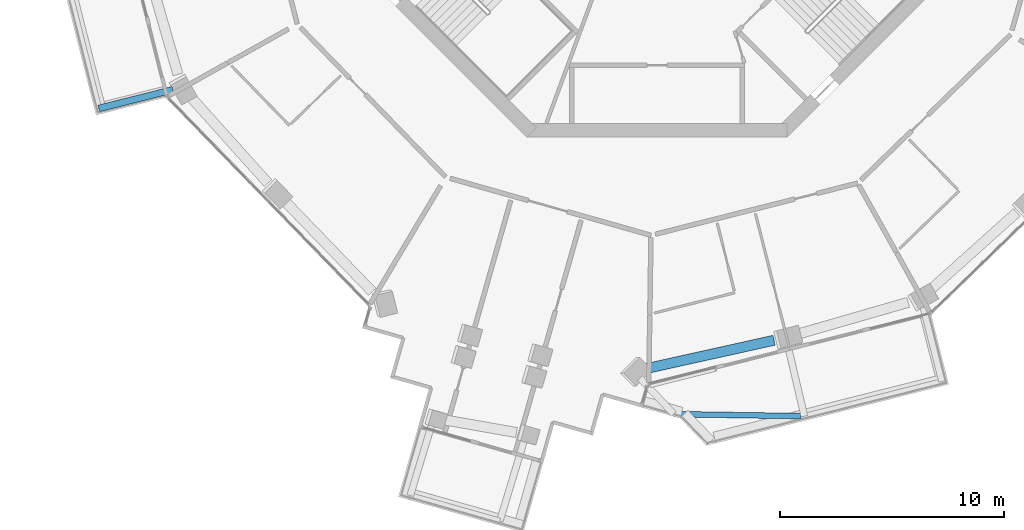
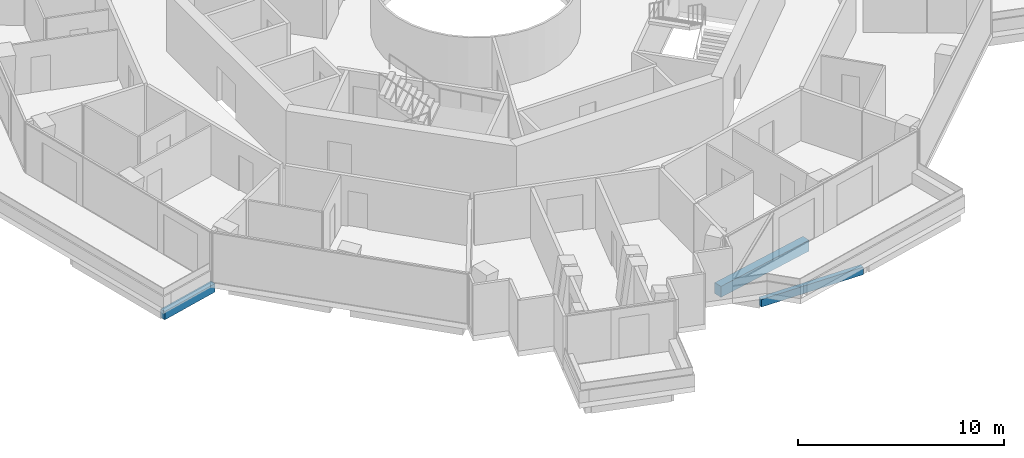
# One storey, part 3 of 24: 3 beams.
"""IFC4 building model written with IfcOpenShell, lengths in metres."""

from ifc_helpers import new_model, si_unit, direction, frame, origin, origin_2d, place, context, subcontext, project, spatial, rectangle, extrude, material, material_profile, profile_set, type_object, element, save


model = new_model("IFC4")

# Units and contexts
model_context = context("Model", 3, precision=1e-05, world=origin(), true_north=direction((0.0, 1.0)))
body_context = subcontext(model_context, "Body", "Model", "MODEL_VIEW")
ifc_project = project(units=[si_unit("LENGTHUNIT", "METRE"), si_unit("AREAUNIT", "SQUARE_METRE"), si_unit("VOLUMEUNIT", "CUBIC_METRE"), si_unit("PLANEANGLEUNIT", "RADIAN"), si_unit("MASSUNIT", "GRAM", prefix="KILO")], contexts=[model_context])

# Site, building, storey
site_placement = place(None, origin())
site = spatial("IfcSite", under=ifc_project, at=site_placement, CompositionType="ELEMENT")
building_placement = place(site_placement, origin())
building = spatial("IfcBuilding", under=site, at=building_placement, Name="Verdalira Terraces Hotel", CompositionType="ELEMENT")
storey_placement = place(building_placement, frame((0.0, 0.0, 212.5)))
storey = spatial("IfcBuildingStorey", under=building, at=storey_placement, Name="L52", CompositionType="ELEMENT", Elevation=212.5)

# Beams
ifc_material_1 = material(Name="Concrete C40", Category="concrete")
ifc_material_profile_1 = material_profile(ifc_material_1, rectangle(XDim=0.300049, YDim=0.5, at=origin_2d()), Name="RC 300X500")
ifc_profile_set_1 = profile_set([ifc_material_profile_1], Name="Concrete C40")
beam_type_1 = type_object("IfcBeamType", Name="Balcony cantilever beam RC 300X500 C40", PredefinedType="BEAM", material=ifc_profile_set_1)
beam_1_placement = place(storey_placement, frame((-21.5979, -11.887451, -0.560059), z_axis=(-0.969626324, -0.244591069, 0.0), x_axis=(0.244591069, -0.969626324, 0.0)))
element("IfcBeam", 1, at=beam_1_placement, inside=storey, type_object=beam_type_1, Name="Balcony cantilever beam R11-2", PredefinedType="BEAM", context=body_context, shape_type="SweptSolid", body=[
    extrude(rectangle(XDim=0.300049, YDim=0.5, at=origin_2d()), origin(), (0.0, 0.0, 1.0), 3.408691),
])
ifc_material_2 = material(Name="Concrete C40", Category="concrete")
ifc_material_profile_2 = material_profile(ifc_material_2, rectangle(XDim=0.25, YDim=0.449951, at=origin_2d()), Name="RC 250X450")
ifc_profile_set_2 = profile_set([ifc_material_profile_2], Name="Concrete C40")
beam_type_2 = type_object("IfcBeamType", Name="Balcony edge beam RC 250X450 C40", PredefinedType="BEAM", material=ifc_profile_set_2)
beam_2_placement = place(storey_placement, frame((0.750244, -26.361084, -0.534912), z_axis=(0.999874513, -0.015841642, 0.0), x_axis=(0.015841642, 0.999874513, 0.0)))
element("IfcBeam", 2, at=beam_2_placement, inside=storey, type_object=beam_type_2, Name="Balcony edge beam R24-1", PredefinedType="BEAM", context=body_context, shape_type="SweptSolid", body=[
    extrude(rectangle(XDim=0.25, YDim=0.449951, at=origin_2d()), origin(), (0.0, 0.0, 1.0), 5.671387),
])
ifc_material_3 = material(Name="Concrete C50", Category="concrete")
ifc_material_profile_3 = material_profile(ifc_material_3, rectangle(XDim=0.449951, YDim=0.649902, at=origin_2d()), Name="RC 450X650")
ifc_profile_set_3 = profile_set([ifc_material_profile_3], Name="Concrete C50")
beam_type_3 = type_object("IfcBeamType", Name="Spandrel beam RC 450X650 C50", PredefinedType="SPANDREL", material=ifc_profile_set_3)
beam_3_placement = place(storey_placement, frame((-0.450928, -24.324219, -0.63501), z_axis=(0.97629563, 0.216441314, 0.0), x_axis=(-0.216441314, 0.97629563, 0.0)))
element("IfcBeam", 3, at=beam_3_placement, inside=storey, type_object=beam_type_3, Name="Spandrel beam B11", PredefinedType="SPANDREL", context=body_context, shape_type="SweptSolid", body=[
    extrude(rectangle(XDim=0.449951, YDim=0.649902, at=origin_2d()), origin(), (0.0, 0.0, 1.0), 5.813477),
])

save(model, "model.ifc")
